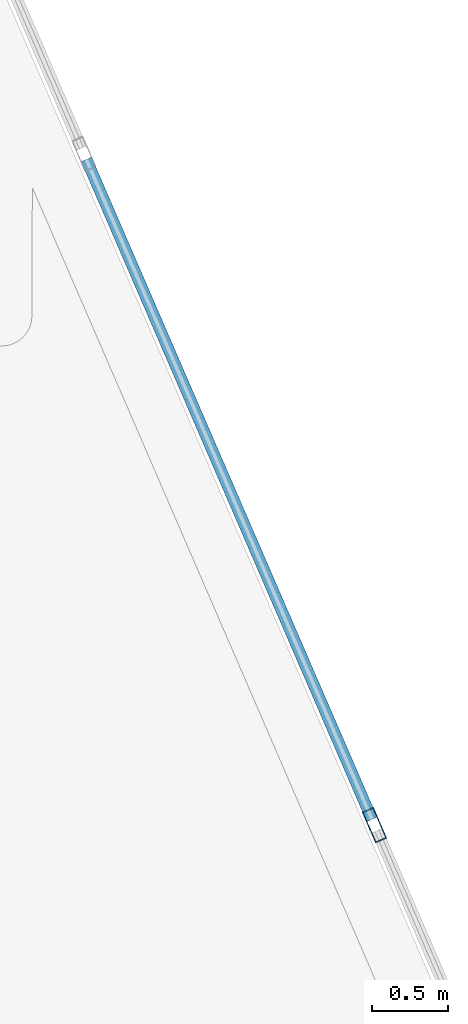
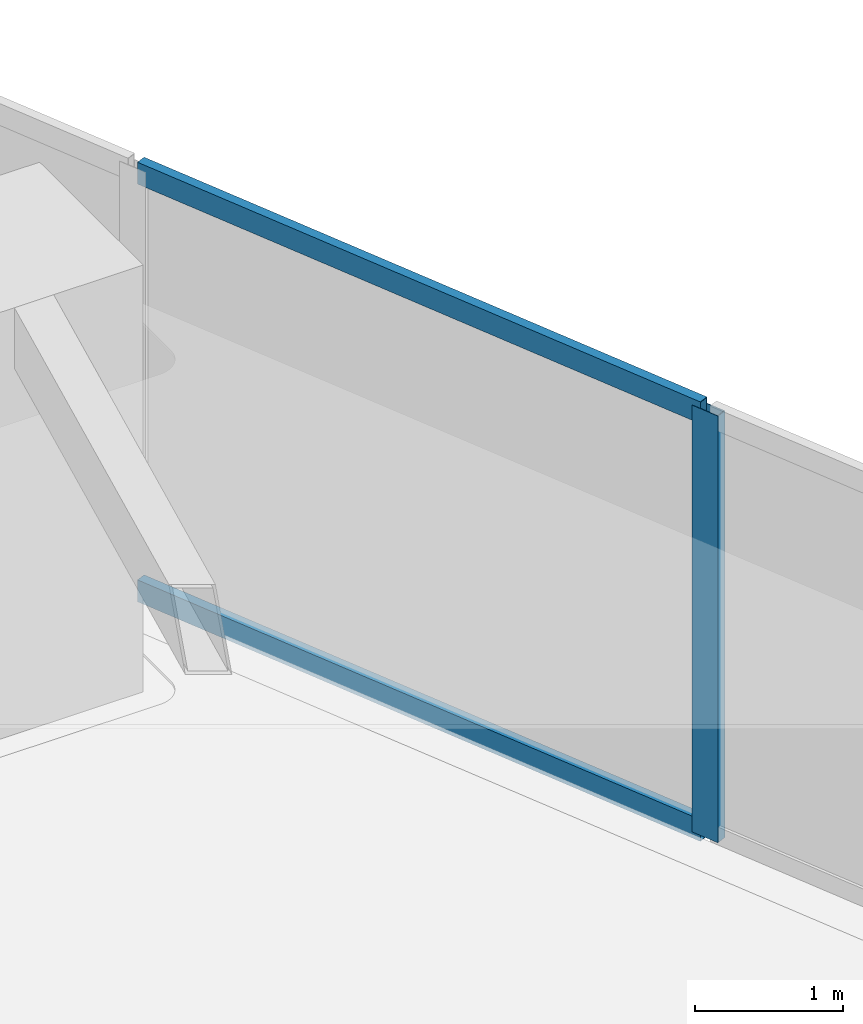
# One storey, part 13 of 23: 3 members, 1 element without a shape of its own.
"""IFC4 building model written with IfcOpenShell, lengths in metres."""

from ifc_helpers import new_model, si_unit, direction, frame, origin, origin_2d, place, context, subcontext, project, spatial, hollow_rectangle, extrude, source, transform, mapped, material, layer, layer_set, material_profile, profile_set, type_object, type_shapes, element, aggregate, save


model = new_model("IFC4")

# Units and contexts
model_context = context("Model", 3, precision=1e-05, world=origin(), true_north=direction((0.0, 1.0)))
body_context = subcontext(model_context, "Body", "Model", "MODEL_VIEW")
ifc_project = project(units=[si_unit("LENGTHUNIT", "METRE"), si_unit("AREAUNIT", "SQUARE_METRE"), si_unit("VOLUMEUNIT", "CUBIC_METRE"), si_unit("PLANEANGLEUNIT", "RADIAN"), si_unit("MASSUNIT", "GRAM", prefix="KILO")], contexts=[model_context])

# Site, building, storey
site_placement = place(None, origin())
site = spatial("IfcSite", under=ifc_project, at=site_placement, CompositionType="ELEMENT")
building_placement = place(site_placement, origin())
building = spatial("IfcBuilding", under=site, at=building_placement, Name="Talar Marvaseh", CompositionType="ELEMENT")
storey_placement = place(building_placement, frame((0.0, 0.0, 35.39990234375)))
storey = spatial("IfcBuildingStorey", under=building, at=storey_placement, Name="L08", CompositionType="ELEMENT", Elevation=35.39990234375)

# Curtain wall, members
ifc_material = material(Name="Architectural Aluminium", Category="aluminium")
ifc_layer = layer(ifc_material, 0.219970703125)
ifc_layer_set = layer_set([ifc_layer], Name="Architectural Aluminium")
curtain_wall_type = type_object("IfcCurtainWallType", Name="Unitised Low-E Museum Curtain Wall Z1", PredefinedType="NOTDEFINED", material=ifc_layer_set)
curtain_wall_placement = place(storey_placement, origin())
curtain_wall = element("IfcCurtainWall", 1, at=curtain_wall_placement, inside=storey, type_object=curtain_wall_type, Name="L08 Unitised Low-E Museum Curtain Wall Z1", PredefinedType="NOTDEFINED")
ifc_material_profile_1 = material_profile(ifc_material, hollow_rectangle(XDim=0.080078125, YDim=0.219970703125, WallThickness=0.0048828125, at=origin_2d()), Name="RHS220x80x5")
ifc_profile_set_1 = profile_set([ifc_material_profile_1], Name="Architectural Aluminium")
member_type_1 = type_object("IfcMemberType", Name="Unitised Curtain Wall Heavy Mullion RHS220x80x5", PredefinedType="MULLION", material=ifc_profile_set_1)
shared_shape_1 = source(origin(), body_context, "Body", "SweptSolid", [
    extrude(hollow_rectangle(XDim=0.080078125, YDim=0.219970703125, WallThickness=0.0048828125, at=origin_2d()), origin(), (0.0, 0.0, 1.0), 3.52001953125),
])
type_shapes(member_type_1, [shared_shape_1])
member_1_placement = place(storey_placement, frame((50.007080078125, 27.05322265625, 0.0), z_axis=(0.0, 0.0, 1.0), x_axis=(0.917727793026, 0.397209891503, 0.0)))
member_1 = element("IfcMember", 2, at=member_1_placement, type_object=member_type_1, Name="CW-Z1 mullion 4", PredefinedType="MULLION", context=body_context, shape_type="MappedRepresentation", body=[
    mapped(shared_shape_1, transform((0.0, 0.0, 0.0), x_axis=(1.0, 0.0, 0.0), y_axis=(0.0, 1.0, 0.0), z_axis=(0.0, 0.0, 1.0), scale=1.0)),
])
ifc_material_profile_2 = material_profile(ifc_material, hollow_rectangle(XDim=0.074951171875, YDim=0.179931640625, WallThickness=0.0048828125, at=origin_2d()), Name="RHS180x75x5")
ifc_profile_set_2 = profile_set([ifc_material_profile_2], Name="Architectural Aluminium")
member_type_2 = type_object("IfcMemberType", Name="Unitised Curtain Wall Transom RHS180x75x5", PredefinedType="USERDEFINED", material=ifc_profile_set_2)
shared_shape_2 = source(origin(), body_context, "Body", "SweptSolid", [
    extrude(hollow_rectangle(XDim=0.074951171875, YDim=0.179931640625, WallThickness=0.0048828125, at=origin_2d()), origin(), (0.0, 0.0, 1.0), 4.736572265625),
])
type_shapes(member_type_2, [shared_shape_2])
member_2_placement = place(storey_placement, frame((48.10986328125, 31.43701171875, 0.03759765625), z_axis=(0.397195144966, -0.917734175464, 0.0), x_axis=(0.917734175464, 0.397195144966, 0.0)))
member_2 = element("IfcMember", 3, at=member_2_placement, type_object=member_type_2, Name="CW-Z1 transom 3.1", ObjectType="TRANSOM", PredefinedType="USERDEFINED", context=body_context, shape_type="MappedRepresentation", body=[
    mapped(shared_shape_2, transform((0.0, 0.0, 0.0), x_axis=(1.0, 0.0, 0.0), y_axis=(0.0, 1.0, 0.0), z_axis=(0.0, 0.0, 1.0), scale=1.0)),
])
member_3_placement = place(storey_placement, frame((48.10986328125, 31.43701171875, 3.482666015625), z_axis=(0.397195144966, -0.917734175464, 0.0), x_axis=(0.917734175464, 0.397195144966, 0.0)))
member_3 = element("IfcMember", 4, at=member_3_placement, type_object=member_type_2, Name="CW-Z1 transom 3.2", ObjectType="TRANSOM", PredefinedType="USERDEFINED", context=body_context, shape_type="MappedRepresentation", body=[
    mapped(shared_shape_2, transform((0.0, 0.0, 0.0), x_axis=(1.0, 0.0, 0.0), y_axis=(0.0, 1.0, 0.0), z_axis=(0.0, 0.0, 1.0), scale=1.0)),
])
aggregate(curtain_wall, [member_1, member_2, member_3])

save(model, "model.ifc")
